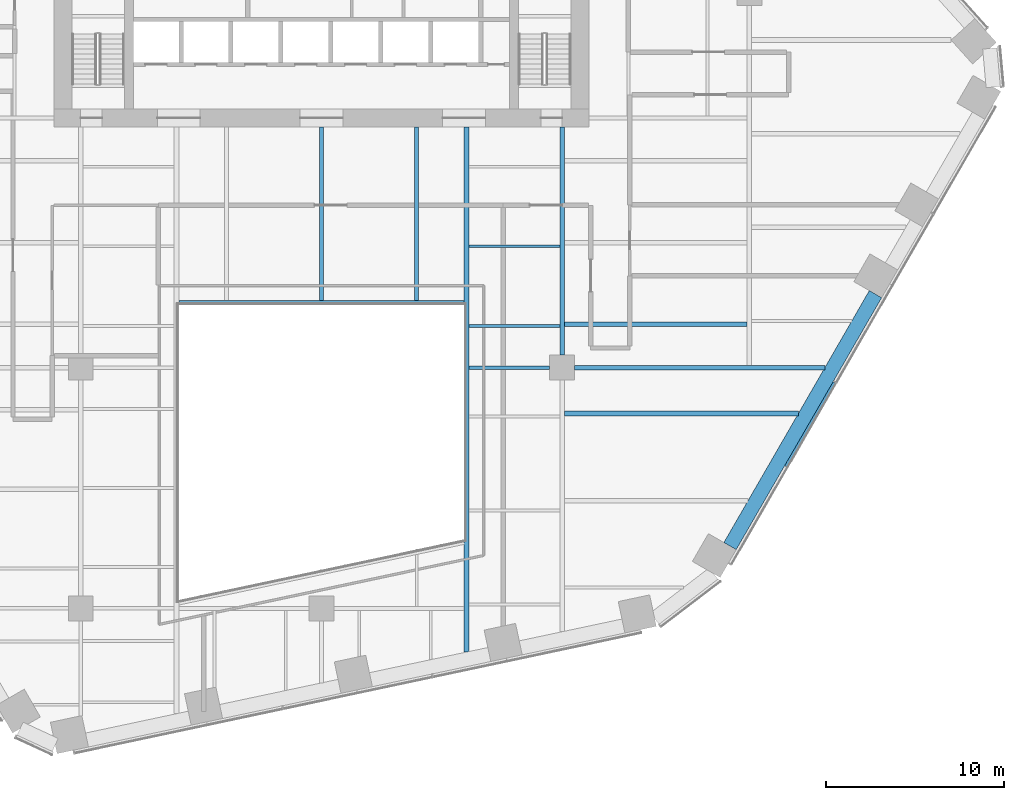
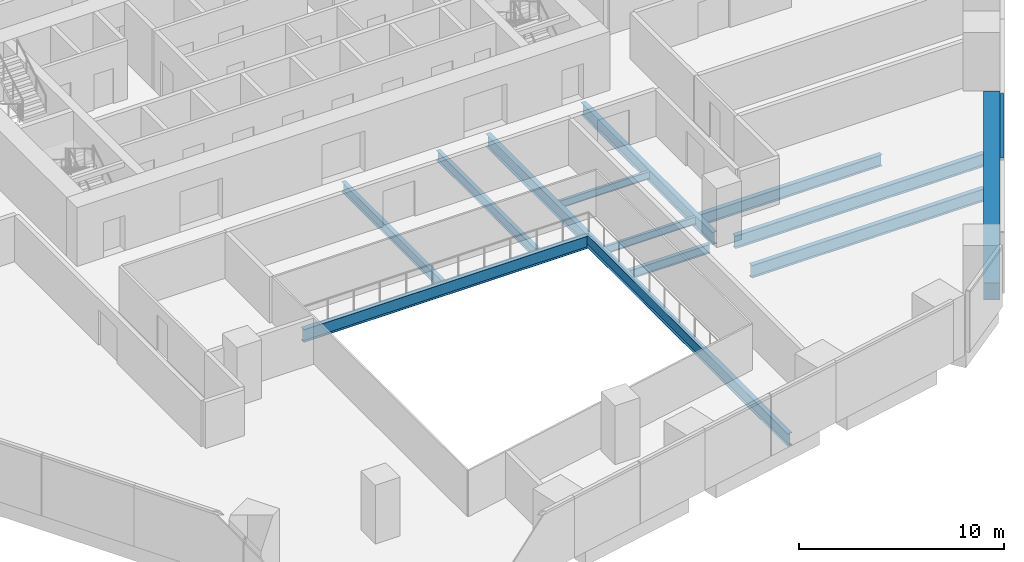
# One storey, part 6 of 21: 12 beams, 1 member, 1 element without a shape of its own.
"""IFC4 building model written with IfcOpenShell, lengths in metres."""

from ifc_helpers import new_model, si_unit, direction, frame, origin, origin_2d, place, context, subcontext, project, spatial, rectangle, i_section, extrude, material, layer, layer_set, material_profile, profile_set, type_object, element, aggregate, save


model = new_model("IFC4")

# Units and contexts
model_context = context("Model", 3, precision=1e-05, world=origin(), true_north=direction((0.0, 1.0)))
body_context = subcontext(model_context, "Body", "Model", "MODEL_VIEW")
ifc_project = project(units=[si_unit("LENGTHUNIT", "METRE"), si_unit("AREAUNIT", "SQUARE_METRE"), si_unit("VOLUMEUNIT", "CUBIC_METRE"), si_unit("PLANEANGLEUNIT", "RADIAN"), si_unit("MASSUNIT", "GRAM", prefix="KILO")], contexts=[model_context])

# Site, building, storey
site_placement = place(None, origin())
site = spatial("IfcSite", under=ifc_project, at=site_placement, CompositionType="ELEMENT")
building_placement = place(site_placement, origin())
building = spatial("IfcBuilding", under=site, at=building_placement, Name="Isthmus Gate Tower", CompositionType="ELEMENT")
storey_placement = place(building_placement, frame((0.0, 0.0, 46.949951171875)))
storey = spatial("IfcBuildingStorey", under=building, at=storey_placement, Name="L09", CompositionType="ELEMENT", Elevation=46.949951171875)

# Curtain wall, member
ifc_material_1 = material(Name="Aluminium, pale champagne anodised", Category="aluminium")
ifc_layer = layer(ifc_material_1, 0.199951171875)
ifc_layer_set = layer_set([ifc_layer], Name="CW-1 UNITISED CURTAIN WALL 200 DEEP")
curtain_wall_type = type_object("IfcCurtainWallType", Name="CW-1 UNITISED CURTAIN WALL 200 DEEP", PredefinedType="NOTDEFINED", material=ifc_layer_set)
curtain_wall_placement = place(storey_placement, origin())
curtain_wall = element("IfcCurtainWall", 1, at=curtain_wall_placement, inside=storey, type_object=curtain_wall_type, Name="CW-1 SE L09", PredefinedType="NOTDEFINED")
ifc_material_2 = material(Name="Aluminium, pale champagne anodised", Category="aluminium")
ifc_material_profile_1 = material_profile(ifc_material_2, rectangle(XDim=0.199951171875, YDim=0.14990234375, at=origin_2d()), Name="200x150")
ifc_profile_set_1 = profile_set([ifc_material_profile_1], Name="Aluminium, pale champagne anodised")
member_type = type_object("IfcMemberType", Name="CW-1 TRANSOM 200 X 150", PredefinedType="USERDEFINED", material=ifc_profile_set_1)
member_placement = place(storey_placement, frame((26.06787109375, -19.04931640625, 3.574951171875), z_axis=(0.499991872758, 0.866030095999, 0.0), x_axis=(-0.866030095999, 0.499991872758, 0.0)))
member = element("IfcMember", 2, at=member_placement, type_object=member_type, Name="CW-1 transom", ObjectType="TRANSOM", PredefinedType="USERDEFINED", context=body_context, shape_type="SweptSolid", body=[
    extrude(rectangle(XDim=0.199951171875, YDim=0.14990234375, at=origin_2d()), origin(), (0.0, 0.0, 1.0), 5.4384765625),
])
aggregate(curtain_wall, [member])

# Beams
ifc_material_3 = material(Name="Concrete f'c 70 MPa", Category="concrete")
ifc_material_profile_2 = material_profile(ifc_material_3, rectangle(XDim=0.800048828125, YDim=1.0, at=origin_2d()), Name="RC 800X1000")
ifc_profile_set_2 = profile_set([ifc_material_profile_2], Name="Concrete f'c 70 MPa")
beam_type_1 = type_object("IfcBeamType", Name="RC SPANDREL 800 X 1000", PredefinedType="SPANDREL", material=ifc_profile_set_2)
beam_1_placement = place(storey_placement, frame((31.0732421875, -9.37939453125, -0.5), z_axis=(-0.499991872758, -0.866030095999, 0.0), x_axis=(0.866030095999, -0.499991872758, 0.0)))
element("IfcBeam", 3, at=beam_1_placement, inside=storey, type_object=beam_type_1, Name="str-spandrel-L09-08", PredefinedType="SPANDREL", context=body_context, shape_type="SweptSolid", body=[
    extrude(rectangle(XDim=0.800048828125, YDim=1.0, at=origin_2d()), origin(), (0.0, 0.0, 1.0), 16.315673828125),
])
ifc_material_4 = material(Name="Structural steel ASTM A992 Gr 50", Category="steel")
ifc_material_profile_3 = material_profile(ifc_material_4, i_section(OverallWidth=0.15234375, OverallDepth=0.45068359375, WebThickness=0.0078125, FlangeThickness=0.010986328125, at=origin_2d()), Name="W18X35")
ifc_profile_set_3 = profile_set([ifc_material_profile_3], Name="Structural steel ASTM A992 Gr 50")
beam_type_2 = type_object("IfcBeamType", Name="STEEL FLOOR BEAM W18X35", PredefinedType="JOIST", material=ifc_profile_set_3)
for number, where, z_axis, x_axis, name in (
    (4, (8.263427734375, -11.16259765625, -0.375244140625), (1.0, 0.0, 0.0), (0.0, 1.0, 0.0), "str-beam-L09-23-00"),
    (5, (8.263427734375, -6.697509765625, -0.375244140625), (1.0, 0.0, 0.0), (0.0, 1.0, 0.0), "str-beam-L09-23-01"),
):
    element("IfcBeam", number, at=place(storey_placement, frame(where, z_axis=z_axis, x_axis=x_axis)), inside=storey, type_object=beam_type_2, Name=name, PredefinedType="JOIST", context=body_context, shape_type="SweptSolid", body=[
        extrude(i_section(OverallWidth=0.15234375, OverallDepth=0.45068359375, WebThickness=0.0078125, FlangeThickness=0.010986328125, at=origin_2d()), origin(), (0.0, 0.0, 1.0), 5.104736328125),
    ])
ifc_material_5 = material(Name="Structural steel ASTM A992 Gr 50", Category="steel")
ifc_material_profile_4 = material_profile(ifc_material_5, i_section(OverallWidth=0.228515625, OverallDepth=0.603271484375, WebThickness=0.010986328125, FlangeThickness=0.014404296875, at=origin_2d()), Name="W24X68")
ifc_profile_set_4 = profile_set([ifc_material_profile_4], Name="Structural steel ASTM A992 Gr 50")
beam_type_3 = type_object("IfcBeamType", Name="STEEL FLOOR BEAM W24X68", PredefinedType="JOIST", material=ifc_profile_set_4)
for number, where, z_axis, x_axis, name in (
    (6, (0.0, -9.7333984375, -0.45166015625), (0.0, 1.0, 0.0), (-1.0, 0.0, 0.0), "str-beam-L09-16-01"),
    (7, (5.333251953125, -9.7333984375, -0.45166015625), (0.0, 1.0, 0.0), (-1.0, 0.0, 0.0), "str-beam-L09-16-02"),
):
    element("IfcBeam", number, at=place(storey_placement, frame(where, z_axis=z_axis, x_axis=x_axis)), inside=storey, type_object=beam_type_3, Name=name, PredefinedType="JOIST", context=body_context, shape_type="SweptSolid", body=[
        extrude(i_section(OverallWidth=0.228515625, OverallDepth=0.603271484375, WebThickness=0.010986328125, FlangeThickness=0.014404296875, at=origin_2d()), origin(), (0.0, 0.0, 1.0), 9.7333984375),
    ])
ifc_material_6 = material(Name="Structural steel ASTM A992 Gr 50", Category="steel")
ifc_material_profile_5 = material_profile(ifc_material_6, i_section(OverallWidth=0.25390625, OverallDepth=0.679443359375, WebThickness=0.010986328125, FlangeThickness=0.015869140625, at=origin_2d()), Name="W27X84")
ifc_profile_set_5 = profile_set([ifc_material_profile_5], Name="Structural steel ASTM A992 Gr 50")
beam_type_4 = type_object("IfcBeamType", Name="STEEL FLOOR BEAM W27X84", PredefinedType="JOIST", material=ifc_profile_set_5)
beam_2_placement = place(storey_placement, frame((13.6318359375, -11.07470703125, -0.48974609375), z_axis=(1.0, 0.0, 0.0), x_axis=(0.0, 1.0, 0.0)))
element("IfcBeam", 8, at=beam_2_placement, inside=storey, type_object=beam_type_4, Name="str-beam-L09-27-00", PredefinedType="JOIST", context=body_context, shape_type="SweptSolid", body=[
    extrude(i_section(OverallWidth=0.25390625, OverallDepth=0.679443359375, WebThickness=0.010986328125, FlangeThickness=0.015869140625, at=origin_2d()), origin(), (0.0, 0.0, 1.0), 10.23486328125),
])
ifc_material_7 = material(Name="Structural steel ASTM A992 Gr 50", Category="steel")
ifc_material_profile_6 = material_profile(ifc_material_7, i_section(OverallWidth=0.263427734375, OverallDepth=0.749267578125, WebThickness=0.0126953125, FlangeThickness=0.015869140625, at=origin_2d()), Name="W30X90")
ifc_profile_set_6 = profile_set([ifc_material_profile_6], Name="Structural steel ASTM A992 Gr 50")
beam_type_5 = type_object("IfcBeamType", Name="STEEL FLOOR BEAM W30X90", PredefinedType="JOIST", material=ifc_profile_set_6)
beam_3_placement = place(storey_placement, frame((13.63330078125, -16.0751953125, -0.524658203125), z_axis=(1.0, 0.0, 0.0), x_axis=(0.0, 1.0, 0.0)))
element("IfcBeam", 9, at=beam_3_placement, inside=storey, type_object=beam_type_5, Name="str-beam-L09-28-02", PredefinedType="JOIST", context=body_context, shape_type="SweptSolid", body=[
    extrude(i_section(OverallWidth=0.263427734375, OverallDepth=0.749267578125, WebThickness=0.0126953125, FlangeThickness=0.015869140625, at=origin_2d()), origin(), (0.0, 0.0, 1.0), 13.1123046875),
])
ifc_material_8 = material(Name="Structural steel ASTM A992 Gr 50", Category="steel")
ifc_material_profile_7 = material_profile(ifc_material_8, i_section(OverallWidth=0.20947265625, OverallDepth=0.533447265625, WebThickness=0.009521484375, FlangeThickness=0.015869140625, at=origin_2d()), Name="W21X62")
ifc_profile_set_7 = profile_set([ifc_material_profile_7], Name="Structural steel ASTM A992 Gr 50")
beam_type_6 = type_object("IfcBeamType", Name="STEEL GIRDER W21X62", PredefinedType="BEAM", material=ifc_profile_set_7)
beam_4_placement = place(storey_placement, frame((8.263427734375, -13.5, -0.416748046875), z_axis=(1.0, 0.0, 0.0), x_axis=(0.0, 1.0, 0.0)))
element("IfcBeam", 10, at=beam_4_placement, inside=storey, type_object=beam_type_6, Name="str-girder-L09-07", PredefinedType="BEAM", context=body_context, shape_type="SweptSolid", body=[
    extrude(i_section(OverallWidth=0.20947265625, OverallDepth=0.533447265625, WebThickness=0.009521484375, FlangeThickness=0.015869140625, at=origin_2d()), origin(), (0.0, 0.0, 1.0), 4.53662109375),
])
ifc_material_9 = material(Name="Structural steel ASTM A992 Gr 50", Category="steel")
ifc_material_profile_8 = material_profile(ifc_material_9, i_section(OverallWidth=0.2666015625, OverallDepth=0.7587890625, WebThickness=0.014404296875, FlangeThickness=0.01904296875, at=origin_2d()), Name="W30X108")
ifc_profile_set_8 = profile_set([ifc_material_profile_8], Name="Structural steel ASTM A992 Gr 50")
beam_type_7 = type_object("IfcBeamType", Name="STEEL GIRDER W30X108", PredefinedType="BEAM", material=ifc_profile_set_8)
beam_5_placement = place(storey_placement, frame((14.199951171875, -13.5, -0.529296875), z_axis=(1.0, 0.0, 0.0), x_axis=(0.0, 1.0, 0.0)))
element("IfcBeam", 11, at=beam_5_placement, inside=storey, type_object=beam_type_7, Name="str-girder-L09-08", PredefinedType="BEAM", context=body_context, shape_type="SweptSolid", body=[
    extrude(i_section(OverallWidth=0.2666015625, OverallDepth=0.7587890625, WebThickness=0.014404296875, FlangeThickness=0.01904296875, at=origin_2d()), origin(), (0.0, 0.0, 1.0), 14.032470703125),
])
ifc_material_10 = material(Name="Structural steel ASTM A992 Gr 50", Category="steel")
ifc_material_profile_9 = material_profile(ifc_material_10, i_section(OverallWidth=0.263427734375, OverallDepth=0.749267578125, WebThickness=0.0126953125, FlangeThickness=0.015869140625, at=origin_2d()), Name="W30X90")
ifc_profile_set_9 = profile_set([ifc_material_profile_9], Name="Structural steel ASTM A992 Gr 50")
beam_type_8 = type_object("IfcBeamType", Name="STEEL GIRDER W30X90", PredefinedType="BEAM", material=ifc_profile_set_9)
beam_6_placement = place(storey_placement, frame((13.5, -12.800048828125, -0.524658203125), z_axis=(0.0, 1.0, 0.0), x_axis=(-1.0, 0.0, 0.0)))
element("IfcBeam", 12, at=beam_6_placement, inside=storey, type_object=beam_type_8, Name="str-girder-L09-32", PredefinedType="BEAM", context=body_context, shape_type="SweptSolid", body=[
    extrude(i_section(OverallWidth=0.263427734375, OverallDepth=0.749267578125, WebThickness=0.0126953125, FlangeThickness=0.015869140625, at=origin_2d()), origin(), (0.0, 0.0, 1.0), 12.800048828125),
])
ifc_material_11 = material(Name="Structural steel ASTM A992 Gr 50", Category="steel")
ifc_material_profile_10 = material_profile(ifc_material_11, i_section(OverallWidth=0.2666015625, OverallDepth=0.7587890625, WebThickness=0.014404296875, FlangeThickness=0.01904296875, at=origin_2d()), Name="W30X108")
ifc_profile_set_10 = profile_set([ifc_material_profile_10], Name="Structural steel ASTM A992 Gr 50")
beam_type_9 = type_object("IfcBeamType", Name="STEEL TRIMMER W30X108", PredefinedType="BEAM", material=ifc_profile_set_10)
beam_7_placement = place(storey_placement, frame((8.0, -9.86669921875, -0.529296875), z_axis=(-1.0, 0.0, 0.0), x_axis=(0.0, -1.0, 0.0)))
element("IfcBeam", 13, at=beam_7_placement, inside=storey, type_object=beam_type_9, Name="str-trimmer-L09-04", PredefinedType="BEAM", context=body_context, shape_type="SweptSolid", body=[
    extrude(i_section(OverallWidth=0.2666015625, OverallDepth=0.7587890625, WebThickness=0.014404296875, FlangeThickness=0.01904296875, at=origin_2d()), origin(), (0.0, 0.0, 1.0), 16.0),
])
ifc_material_12 = material(Name="Structural steel ASTM A992 Gr 50", Category="steel")
ifc_material_profile_11 = material_profile(ifc_material_12, i_section(OverallWidth=0.263427734375, OverallDepth=0.749267578125, WebThickness=0.0126953125, FlangeThickness=0.015869140625, at=origin_2d()), Name="W30X90")
ifc_profile_set_11 = profile_set([ifc_material_profile_11], Name="Structural steel ASTM A992 Gr 50")
beam_type_10 = type_object("IfcBeamType", Name="STEEL TRIMMER W30X90", PredefinedType="BEAM", material=ifc_profile_set_11)
beam_8_placement = place(storey_placement, frame((8.1318359375, -29.45361328125, -0.524658203125), z_axis=(0.0, 1.0, 0.0), x_axis=(-1.0, 0.0, 0.0)))
element("IfcBeam", 14, at=beam_8_placement, inside=storey, type_object=beam_type_10, Name="str-trimmer-L09-01", PredefinedType="BEAM", context=body_context, shape_type="SweptSolid", body=[
    extrude(i_section(OverallWidth=0.263427734375, OverallDepth=0.749267578125, WebThickness=0.0126953125, FlangeThickness=0.015869140625, at=origin_2d()), origin(), (0.0, 0.0, 1.0), 29.45361328125),
])

save(model, "model.ifc")
